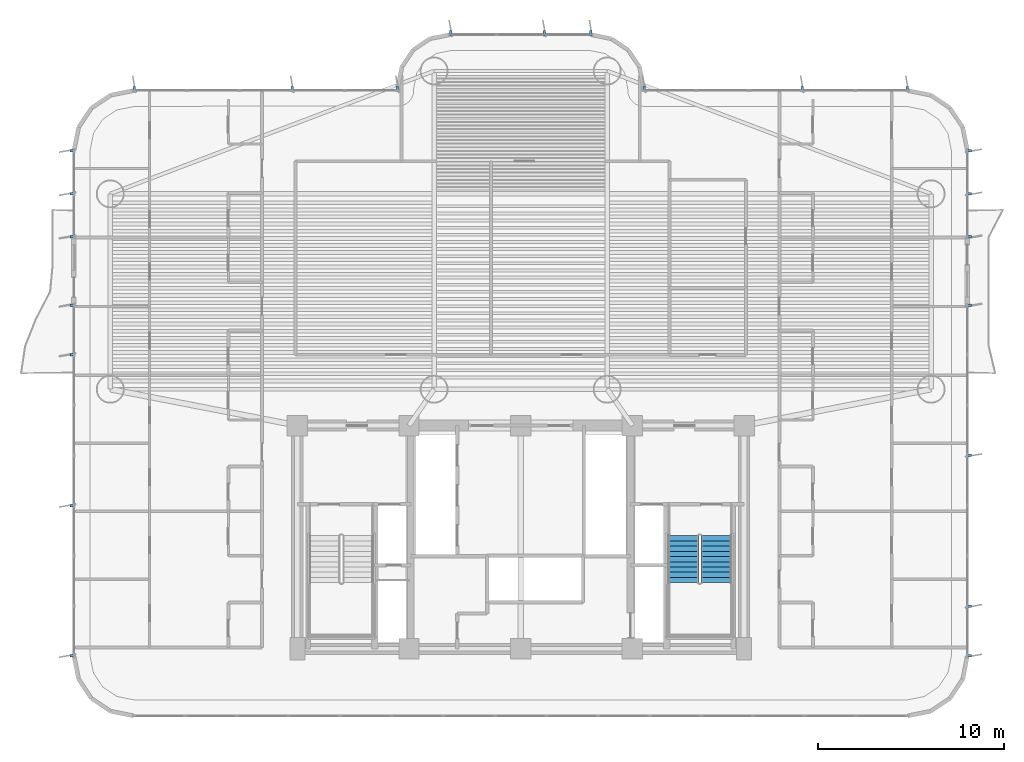
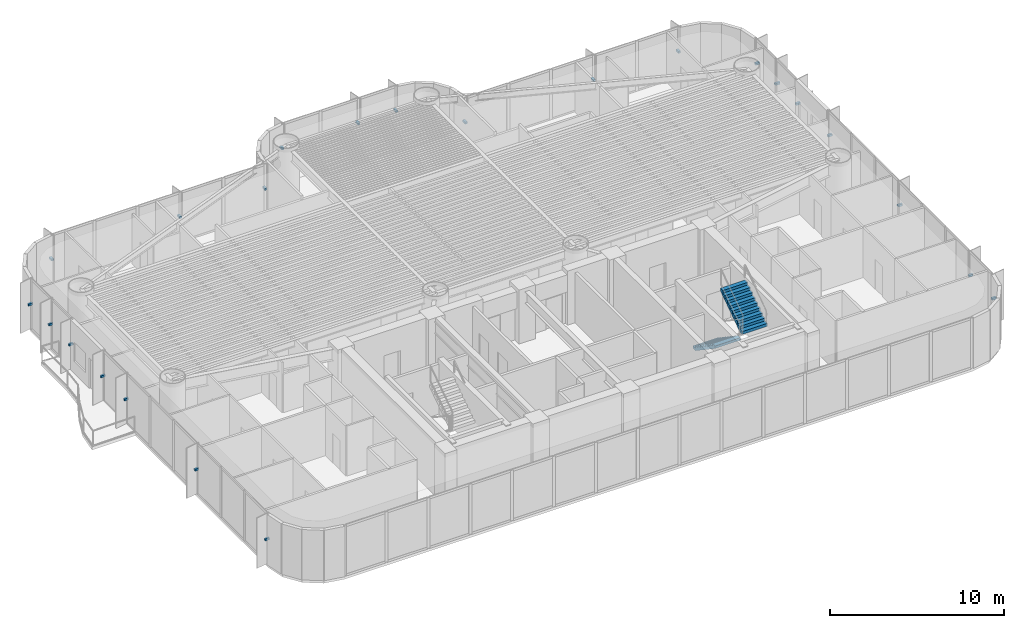
# One storey, part 15 of 19: 23 discrete accessories, 2 stair flights, 1 element without a shape of its own.
"""IFC4 building model written with IfcOpenShell, lengths in metres."""

from ifc_helpers import new_model, si_unit, direction, frame, origin, origin_2d, place, context, subcontext, project, spatial, polyline, rectangle, outline, extrude, source, transform, mapped, material, type_object, element, aggregate, save


model = new_model("IFC4")

# Units and contexts
model_context = context("Model", 3, precision=1e-05, world=origin(), true_north=direction((0.0, 1.0)))
body_context = subcontext(model_context, "Body", "Model", "MODEL_VIEW")
ifc_project = project(units=[si_unit("LENGTHUNIT", "METRE"), si_unit("AREAUNIT", "SQUARE_METRE"), si_unit("VOLUMEUNIT", "CUBIC_METRE"), si_unit("PLANEANGLEUNIT", "RADIAN"), si_unit("MASSUNIT", "GRAM", prefix="KILO")], contexts=[model_context])

# Site, building, storey
site_placement = place(None, origin())
site = spatial("IfcSite", under=ifc_project, at=site_placement, CompositionType="ELEMENT")
building_placement = place(site_placement, origin())
building = spatial("IfcBuilding", under=site, at=building_placement, Name="Brelvock Crest Care Tower", CompositionType="ELEMENT")
storey_placement = place(building_placement, frame((0.0, 0.0, 30.780029296875)))
storey = spatial("IfcBuildingStorey", under=building, at=storey_placement, Name="L07", CompositionType="ELEMENT", Elevation=30.780029296875)

# Stair, stair flights
ifc_material_1 = material(Name="Concrete N40 (40 MPa)", Category="concrete")
stair_type = type_object("IfcStairType", Name="ST-CORE1", PredefinedType="HALF_TURN_STAIR", material=ifc_material_1)
stair_placement = place(storey_placement, origin())
stair = element("IfcStair", 1, at=stair_placement, inside=storey, type_object=stair_type, Name="L07 Fire-Isolated Core Stair ST-2", PredefinedType="HALF_TURN_STAIR")
stair_flight_type = type_object("IfcStairFlightType", Name="STF-1", PredefinedType="STRAIGHT", material=ifc_material_1)
stair_flight_1_placement = place(storey_placement, frame((44.72998046875, 12.080078125, 0.0), z_axis=(0.0, 0.0, 1.0), x_axis=(0.0, -1.0, 0.0)))
stair_flight_1 = element("IfcStairFlight", 2, at=stair_flight_1_placement, type_object=stair_flight_type, Name="ST-2 flight 1", NumberOfRisers=10, NumberOfTreads=9, PredefinedType="STRAIGHT", RiserHeight=0.189, TreadLength=0.28, context=body_context, shape_type="SweptSolid", body=[
    extrude(outline(polyline([(-0.00390625, -0.014892578125), (-0.00390625, -0.0078125), (-0.00390625, -0.00048828125), (-0.00390625, 0.0068359375), (-0.00390625, 0.01416015625), (-0.00390625, 0.021484375), (-0.00390625, 0.02880859375), (-0.00390625, 0.035888671875), (-0.00390625, 0.043212890625), (-0.00390625, 0.050537109375), (-0.00390625, 0.057861328125), (-0.00390625, 0.065185546875), (-0.00390625, 0.072509765625), (-0.00390625, 0.07958984375), (-0.00390625, 0.0869140625), (-0.00390625, 0.09423828125), (-0.00390625, 0.1015625), (-0.00390625, 0.10888671875), (-0.00390625, 0.1162109375), (-0.00390625, 0.12353515625), (-0.00390625, 0.130615234375), (-0.00390625, 0.137939453125), (-0.00390625, 0.145263671875), (-0.00390625, 0.152587890625), (-0.00390625, 0.159912109375), (-0.00390625, 0.167236328125), (-0.00390625, 0.17431640625), (-0.00390625, 0.181640625), (-0.00390625, 0.18896484375), (0.0, 0.18896484375), (0.280029296875, 0.18896484375), (0.280029296875, 0.3779296875), (0.56005859375, 0.3779296875), (0.56005859375, 0.56689453125), (0.840087890625, 0.56689453125), (0.840087890625, 0.756103515625), (1.1201171875, 0.756103515625), (1.1201171875, 0.945068359375), (1.39990234375, 0.945068359375), (1.39990234375, 1.134033203125), (1.679931640625, 1.134033203125), (1.679931640625, 1.322998046875), (1.9599609375, 1.322998046875), (1.9599609375, 1.511962890625), (2.239990234375, 1.511962890625), (2.239990234375, 1.700927734375), (2.52001953125, 1.700927734375), (2.52392578125, 1.700927734375), (2.523681640625, 1.70068359375), (2.52392578125, 1.700439453125), (2.523681640625, 1.699951171875), (2.52392578125, 1.69970703125), (2.523681640625, 1.699462890625), (2.52392578125, 1.698974609375), (2.523681640625, 1.69873046875), (2.52392578125, 1.698486328125), (2.523681640625, 1.697998046875), (2.52392578125, 1.69775390625), (2.523681640625, 1.697509765625), (2.52392578125, 1.697021484375), (2.523681640625, 1.69677734375), (2.52392578125, 1.696533203125), (2.523681640625, 1.6962890625), (2.52392578125, 1.69580078125), (2.523681640625, 1.695556640625), (2.52392578125, 1.6953125), (2.523681640625, 1.69482421875), (2.52392578125, 1.694580078125), (2.523681640625, 1.6943359375), (2.52392578125, 1.69384765625), (2.523681640625, 1.693603515625), (2.52392578125, 1.693359375), (2.523681640625, 1.69287109375), (2.52392578125, 1.692626953125), (2.523681640625, 1.6923828125), (2.52392578125, 1.69189453125), (2.52001953125, 1.520263671875), (0.267822265625, 0.0), (0.0, 0.0), (0.0, -0.014892578125), (-0.00390625, -0.014892578125)])), frame((0.0, 0.83984375, 0.0), z_axis=(0.0, -1.0, 0.0), x_axis=(1.0, 0.0, 0.0)), (0.0, 0.0, 1.0), 1.679931640625),
])
stair_flight_2_placement = place(storey_placement, frame((46.530029296875, 9.56005859375, 1.889892578125), z_axis=(0.0, 0.0, 1.0), x_axis=(0.0, 1.0, 0.0)))
stair_flight_2 = element("IfcStairFlight", 3, at=stair_flight_2_placement, type_object=stair_flight_type, Name="ST-2 flight 2", NumberOfRisers=10, NumberOfTreads=9, PredefinedType="STRAIGHT", RiserHeight=0.189, TreadLength=0.28, context=body_context, shape_type="SweptSolid", body=[
    extrude(outline(polyline([(-0.00390625, -0.014892578125), (-0.00390625, -0.0078125), (-0.00390625, -0.00048828125), (-0.00390625, 0.0068359375), (-0.00390625, 0.01416015625), (-0.00390625, 0.021484375), (-0.00390625, 0.02880859375), (-0.00390625, 0.035888671875), (-0.00390625, 0.043212890625), (-0.00390625, 0.050537109375), (-0.00390625, 0.057861328125), (-0.00390625, 0.065185546875), (-0.00390625, 0.072509765625), (-0.00390625, 0.07958984375), (-0.00390625, 0.0869140625), (-0.00390625, 0.09423828125), (-0.00390625, 0.1015625), (-0.00390625, 0.10888671875), (-0.00390625, 0.1162109375), (-0.00390625, 0.12353515625), (-0.00390625, 0.130615234375), (-0.00390625, 0.137939453125), (-0.00390625, 0.145263671875), (-0.00390625, 0.152587890625), (-0.00390625, 0.159912109375), (-0.00390625, 0.167236328125), (-0.00390625, 0.17431640625), (-0.00390625, 0.181640625), (-0.00390625, 0.18896484375), (0.0, 0.18896484375), (0.280029296875, 0.18896484375), (0.280029296875, 0.3779296875), (0.56005859375, 0.3779296875), (0.56005859375, 0.56689453125), (0.840087890625, 0.56689453125), (0.840087890625, 0.756103515625), (1.1201171875, 0.756103515625), (1.1201171875, 0.945068359375), (1.39990234375, 0.945068359375), (1.39990234375, 1.134033203125), (1.679931640625, 1.134033203125), (1.679931640625, 1.322998046875), (1.9599609375, 1.322998046875), (1.9599609375, 1.511962890625), (2.239990234375, 1.511962890625), (2.239990234375, 1.700927734375), (2.52001953125, 1.700927734375), (2.52392578125, 1.700927734375), (2.523681640625, 1.70068359375), (2.52392578125, 1.700439453125), (2.523681640625, 1.699951171875), (2.52392578125, 1.69970703125), (2.523681640625, 1.699462890625), (2.52392578125, 1.698974609375), (2.523681640625, 1.69873046875), (2.52392578125, 1.698486328125), (2.523681640625, 1.697998046875), (2.52392578125, 1.69775390625), (2.523681640625, 1.697509765625), (2.52392578125, 1.697021484375), (2.523681640625, 1.69677734375), (2.52392578125, 1.696533203125), (2.523681640625, 1.6962890625), (2.52392578125, 1.69580078125), (2.523681640625, 1.695556640625), (2.52392578125, 1.6953125), (2.523681640625, 1.69482421875), (2.52392578125, 1.694580078125), (2.523681640625, 1.6943359375), (2.52392578125, 1.69384765625), (2.523681640625, 1.693603515625), (2.52392578125, 1.693359375), (2.523681640625, 1.69287109375), (2.52392578125, 1.692626953125), (2.523681640625, 1.6923828125), (2.52392578125, 1.69189453125), (2.52001953125, 1.520263671875), (0.267822265625, 0.0), (0.0, 0.0), (0.0, -0.014892578125), (-0.00390625, -0.014892578125)])), frame((0.0, 0.83984375, 0.0), z_axis=(0.0, -1.0, 0.0), x_axis=(1.0, 0.0, 0.0)), (0.0, 0.0, 1.0), 1.679931640625),
])
aggregate(stair, [stair_flight_1, stair_flight_2])

# Discrete accessories
ifc_material_2 = material(Name="Steel Grade 350", Category="steel")
discrete_accessory_type = type_object("IfcDiscreteAccessoryType", Name="ACC-BRK1", PredefinedType="BRACKET", material=ifc_material_2)
shared_shape = source(origin(), body_context, "Body", "SweptSolid", [
    extrude(rectangle(XDim=0.280029296875, YDim=0.139892578125, at=origin_2d()), origin(), (0.0, 0.0, 1.0), 0.139892578125),
])
for number, where, z_axis, x_axis, name in (
    (4, (60.080078125, 32.767578125, 1.69482421875), (0.0, 0.0, 1.0), (1.0, 0.0, 0.0), "L07 Facade Fin Bracket E03A-01"),
    (5, (60.080078125, 30.449951171875, 1.69482421875), (0.0, 0.0, 1.0), (1.0, 0.0, 0.0), "L07 Facade Fin Bracket E03A-02"),
    (6, (60.080078125, 28.132568359375, 1.69482421875), (0.0, 0.0, 1.0), (1.0, 0.0, 0.0), "L07 Facade Fin Bracket E03A-03"),
    (7, (60.080078125, 24.467529296875, 1.69482421875), (0.0, 0.0, 1.0), (1.0, 0.0, 0.0), "L07 Facade Fin Bracket E03B-01"),
    (8, (60.080078125, 16.39990234375, 1.69482421875), (0.0, 0.0, 1.0), (1.0, 0.0, 0.0), "L07 Facade Fin Bracket E03B-04"),
    (9, (60.080078125, 8.300048828125, 1.69482421875), (0.0, 0.0, 1.0), (1.0, 0.0, 0.0), "L07 Facade Fin Bracket E03B-07"),
    (10, (60.080078125, 5.632568359375, 1.69482421875), (0.0, 0.0, 1.0), (1.0, 0.0, 0.0), "L07 Facade Fin Bracket E03B-08"),
    (11, (11.919921875, 5.632568359375, 1.69482421875), (0.0, 0.0, 1.0), (-1.0, 0.0, 0.0), "L07 Facade Fin Bracket E13A-01"),
    (12, (11.919921875, 13.699951171875, 1.69482421875), (0.0, 0.0, 1.0), (-1.0, 0.0, 0.0), "L07 Facade Fin Bracket E13A-04"),
    (13, (11.919921875, 21.800048828125, 1.69482421875), (0.0, 0.0, 1.0), (-1.0, 0.0, 0.0), "L07 Facade Fin Bracket E13A-07"),
    (14, (11.919921875, 24.467529296875, 1.69482421875), (0.0, 0.0, 1.0), (-1.0, 0.0, 0.0), "L07 Facade Fin Bracket E13A-08"),
    (15, (11.919921875, 28.132568359375, 1.69482421875), (0.0, 0.0, 1.0), (-1.0, 0.0, 0.0), "L07 Facade Fin Bracket E13B-01"),
    (16, (11.919921875, 30.449951171875, 1.69482421875), (0.0, 0.0, 1.0), (-1.0, 0.0, 0.0), "L07 Facade Fin Bracket E13B-02"),
    (17, (11.919921875, 32.767578125, 1.69482421875), (0.0, 0.0, 1.0), (-1.0, 0.0, 0.0), "L07 Facade Fin Bracket E13B-03"),
    (18, (15.232421875, 36.080078125, 1.69482421875), (0.0, 0.0, 1.0), (0.0, 1.0, 0.0), "L07 Facade Fin Bracket E18-01"),
    (19, (23.719970703125, 36.080078125, 1.69482421875), (0.0, 0.0, 1.0), (0.0, 1.0, 0.0), "L07 Facade Fin Bracket E18-04"),
    (20, (29.367431640625, 36.080078125, 1.69482421875), (0.0, 0.0, 1.0), (0.0, 1.0, 0.0), "L07 Facade Fin Bracket E18-06"),
    (21, (32.232421875, 39.080078125, 1.69482421875), (0.0, 0.0, 1.0), (0.0, 1.0, 0.0), "L07 Facade Fin Bracket E24-01"),
    (22, (37.2666015625, 39.080078125, 1.69482421875), (0.0, 0.0, 1.0), (0.0, 1.0, 0.0), "L07 Facade Fin Bracket E24-03"),
    (23, (39.767578125, 39.080078125, 1.69482421875), (0.0, 0.0, 1.0), (0.0, 1.0, 0.0), "L07 Facade Fin Bracket E24-04"),
    (24, (42.632568359375, 36.080078125, 1.69482421875), (0.0, 0.0, 1.0), (0.0, 1.0, 0.0), "L07 Facade Fin Bracket E30-01"),
    (25, (51.1201171875, 36.080078125, 1.69482421875), (0.0, 0.0, 1.0), (0.0, 1.0, 0.0), "L07 Facade Fin Bracket E30-04"),
    (26, (56.767578125, 36.080078125, 1.69482421875), (0.0, 0.0, 1.0), (0.0, 1.0, 0.0), "L07 Facade Fin Bracket E30-06"),
):
    element("IfcDiscreteAccessory", number, at=place(storey_placement, frame(where, z_axis=z_axis, x_axis=x_axis)), inside=storey, type_object=discrete_accessory_type, Name=name, PredefinedType="BRACKET", context=body_context, shape_type="MappedRepresentation", body=[
        mapped(shared_shape, transform((0.0, 0.0, 0.0), x_axis=(1.0, 0.0, 0.0), y_axis=(0.0, 1.0, 0.0), z_axis=(0.0, 0.0, 1.0), scale=1.0)),
    ])

save(model, "model.ifc")
